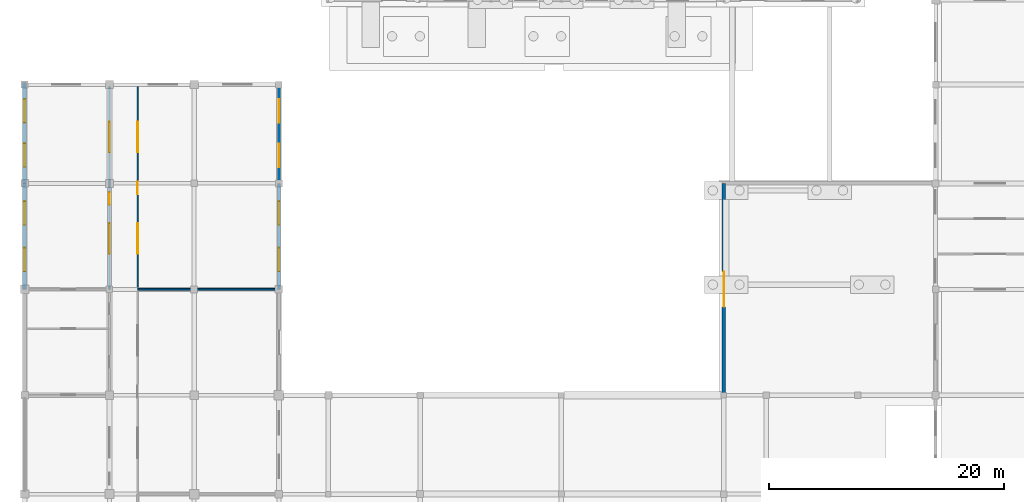
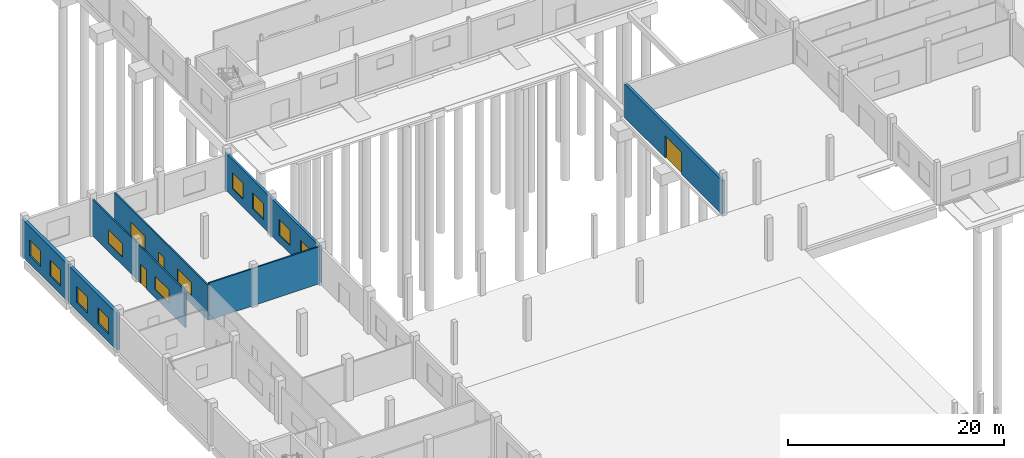
# One storey, part 72 of 91: 12 windows, 8 walls, 3 doors, 15 openings.
"""IFC4 building model written with IfcOpenShell, lengths in metres."""

from ifc_helpers import new_model, si_unit, direction, frame, frame_2d, origin, place, context, subcontext, project, spatial, rectangle, extrude, material, layer, layer_set, type_object, element, fill, save


model = new_model("IFC4")

# Units and contexts
model_context = context("Model", 3, precision=1e-05, world=origin(), true_north=direction((0.0, 1.0)))
body_context = subcontext(model_context, "Body", "Model", "MODEL_VIEW")
ifc_project = project(units=[si_unit("LENGTHUNIT", "METRE"), si_unit("AREAUNIT", "SQUARE_METRE"), si_unit("VOLUMEUNIT", "CUBIC_METRE"), si_unit("PLANEANGLEUNIT", "RADIAN"), si_unit("MASSUNIT", "GRAM", prefix="KILO")], contexts=[model_context])

# Site, building, storey
site_placement = place(None, origin())
site = spatial("IfcSite", under=ifc_project, at=site_placement, CompositionType="ELEMENT")
building_placement = place(site_placement, origin())
building = spatial("IfcBuilding", under=site, at=building_placement, Name="Vinh Khe Railworks Police Headquarters", CompositionType="ELEMENT")
storey_placement = place(building_placement, origin())
storey = spatial("IfcBuildingStorey", under=building, at=storey_placement, Name="L00", CompositionType="ELEMENT", Elevation=0.0)

# Wall, openings, windows
ifc_material_1 = material(Name="Clay brickwork", Category="masonry")
ifc_layer_1 = layer(ifc_material_1, 0.260009765625)
ifc_layer_set_1 = layer_set([ifc_layer_1], Name="Clay brickwork")
wall_type_1 = type_object("IfcWallType", Name="EW-BRK-260", PredefinedType="SOLIDWALL", material=ifc_layer_set_1)
wall_1_placement = place(storey_placement, frame((22.199951171875, 113.39990234375, 0.0), z_axis=(0.0, 0.0, 1.0), x_axis=(0.0, 1.0, 0.0)))
wall_1 = element("IfcWall", 1, at=wall_1_placement, inside=storey, type_object=wall_type_1, Name="Exterior Brick Wall EW-L00-V5E-15", PredefinedType="SOLIDWALL", context=body_context, shape_type="SweptSolid", body=[
    extrude(rectangle(XDim=9.0, YDim=0.260009765625, at=frame_2d((4.5, 0.0))), origin(), (0.0, 0.0, 1.0), 4.1650390625),
])
opening_1_placement = place(wall_1_placement, frame((1.52001953125, 0.0, 0.89990234375)))
opening_1 = element("IfcOpeningElement", 2, at=opening_1_placement, cuts=wall_1, Name="Opening WN-04", PredefinedType="OPENING", context=body_context, shape_type="SweptSolid", body=[
    extrude(rectangle(XDim=2.0, YDim=1.800048828125, at=frame_2d((1.0, 0.89990234375))), frame((0.0, 0.14501953125, 0.0), z_axis=(0.0, -1.0, 0.0), x_axis=(1.0, 0.0, 0.0)), (0.0, 0.0, 1.0), 0.289794921875),
])
opening_2_placement = place(wall_1_placement, frame((5.47998046875, 0.0, 0.89990234375)))
opening_2 = element("IfcOpeningElement", 3, at=opening_2_placement, cuts=wall_1, Name="Opening WN-04", PredefinedType="OPENING", context=body_context, shape_type="SweptSolid", body=[
    extrude(rectangle(XDim=2.0, YDim=1.800048828125, at=frame_2d((1.0, 0.89990234375))), frame((0.0, 0.14501953125, 0.0), z_axis=(0.0, -1.0, 0.0), x_axis=(1.0, 0.0, 0.0)), (0.0, 0.0, 1.0), 0.289794921875),
])
ifc_material_2 = material(Name="Double-glazed solar-control glass in dark steel frame", Category="steel")
window_type_1 = type_object("IfcWindowType", Name="WIN-WN-04", PartitioningType="DOUBLE_PANEL_VERTICAL", PredefinedType="WINDOW", material=ifc_material_2)
window_1_placement = place(opening_1_placement, origin())
window_1 = element("IfcWindow", 4, at=window_1_placement, inside=storey, type_object=window_type_1, Name="Casement Window WN-04", OverallHeight=1.800048828125, OverallWidth=2.0, PartitioningType="SINGLE_PANEL", PredefinedType="WINDOW", context=body_context, shape_type="SweptSolid", body=[
    extrude(rectangle(XDim=2.0, YDim=1.800048828125, at=frame_2d((1.0, 0.89990234375))), frame((0.0, 0.030029296875, 0.0), z_axis=(0.0, -1.0, 0.0), x_axis=(1.0, 0.0, 0.0)), (0.0, 0.0, 1.0), 0.06005859375),
])
fill(opening_1, window_1)
window_2_placement = place(opening_2_placement, origin())
window_2 = element("IfcWindow", 5, at=window_2_placement, inside=storey, type_object=window_type_1, Name="Casement Window WN-04", OverallHeight=1.800048828125, OverallWidth=2.0, PartitioningType="SINGLE_PANEL", PredefinedType="WINDOW", context=body_context, shape_type="SweptSolid", body=[
    extrude(rectangle(XDim=2.0, YDim=1.800048828125, at=frame_2d((1.0, 0.89990234375))), frame((0.0, 0.030029296875, 0.0), z_axis=(0.0, -1.0, 0.0), x_axis=(1.0, 0.0, 0.0)), (0.0, 0.0, 1.0), 0.06005859375),
])
fill(opening_2, window_2)

wall_2_placement = place(storey_placement, frame((22.199951171875, 122.39990234375, 0.0), z_axis=(0.0, 0.0, 1.0), x_axis=(0.0, 1.0, 0.0)))
wall_2 = element("IfcWall", 6, at=wall_2_placement, inside=storey, type_object=wall_type_1, Name="Exterior Brick Wall EW-L00-V5E-16", PredefinedType="SOLIDWALL", context=body_context, shape_type="SweptSolid", body=[
    extrude(rectangle(XDim=8.530029296875, YDim=0.260009765625, at=frame_2d((4.26513671875, 0.0))), origin(), (0.0, 0.0, 1.0), 4.1650390625),
])
opening_3_placement = place(wall_2_placement, frame((1.388427734375, 0.0, 0.89990234375)))
opening_3 = element("IfcOpeningElement", 7, at=opening_3_placement, cuts=wall_2, Name="Opening WN-04", PredefinedType="OPENING", context=body_context, shape_type="SweptSolid", body=[
    extrude(rectangle(XDim=2.0, YDim=1.800048828125, at=frame_2d((1.0, 0.89990234375))), frame((0.0, 0.14501953125, 0.0), z_axis=(0.0, -1.0, 0.0), x_axis=(1.0, 0.0, 0.0)), (0.0, 0.0, 1.0), 0.289794921875),
])
opening_4_placement = place(wall_2_placement, frame((5.1416015625, 0.0, 0.89990234375)))
opening_4 = element("IfcOpeningElement", 8, at=opening_4_placement, cuts=wall_2, Name="Opening WN-04", PredefinedType="OPENING", context=body_context, shape_type="SweptSolid", body=[
    extrude(rectangle(XDim=2.0, YDim=1.800048828125, at=frame_2d((1.0, 0.89990234375))), frame((0.0, 0.14501953125, 0.0), z_axis=(0.0, -1.0, 0.0), x_axis=(1.0, 0.0, 0.0)), (0.0, 0.0, 1.0), 0.289794921875),
])
window_3_placement = place(opening_3_placement, origin())
window_3 = element("IfcWindow", 9, at=window_3_placement, inside=storey, type_object=window_type_1, Name="Casement Window WN-04", OverallHeight=1.800048828125, OverallWidth=2.0, PartitioningType="SINGLE_PANEL", PredefinedType="WINDOW", context=body_context, shape_type="SweptSolid", body=[
    extrude(rectangle(XDim=2.0, YDim=1.800048828125, at=frame_2d((1.0, 0.89990234375))), frame((0.0, 0.030029296875, 0.0), z_axis=(0.0, -1.0, 0.0), x_axis=(1.0, 0.0, 0.0)), (0.0, 0.0, 1.0), 0.06005859375),
])
fill(opening_3, window_3)
window_4_placement = place(opening_4_placement, origin())
window_4 = element("IfcWindow", 10, at=window_4_placement, inside=storey, type_object=window_type_1, Name="Casement Window WN-04", OverallHeight=1.800048828125, OverallWidth=2.0, PartitioningType="SINGLE_PANEL", PredefinedType="WINDOW", context=body_context, shape_type="SweptSolid", body=[
    extrude(rectangle(XDim=2.0, YDim=1.800048828125, at=frame_2d((1.0, 0.89990234375))), frame((0.0, 0.030029296875, 0.0), z_axis=(0.0, -1.0, 0.0), x_axis=(1.0, 0.0, 0.0)), (0.0, 0.0, 1.0), 0.06005859375),
])
fill(opening_4, window_4)

# Wall, opening, door
ifc_layer_2 = layer(ifc_material_1, 0.300048828125)
ifc_layer_set_2 = layer_set([ifc_layer_2], Name="Clay brickwork")
wall_type_2 = type_object("IfcWallType", Name="EW-BRK-300", PredefinedType="SOLIDWALL", material=ifc_layer_set_2)
wall_3_placement = place(storey_placement, frame((60.0, 104.39990234375, 0.0), z_axis=(0.0, 0.0, 1.0), x_axis=(0.0, 1.0, 0.0)))
wall_3 = element("IfcWall", 11, at=wall_3_placement, inside=storey, type_object=wall_type_2, Name="Custody Exercise Yard West Perimeter Wall", PredefinedType="SOLIDWALL", context=body_context, shape_type="SweptSolid", body=[
    extrude(rectangle(XDim=18.0, YDim=0.300048828125, at=frame_2d((9.0, 0.0))), origin(), (0.0, 0.0, 1.0), 3.800048828125),
])
opening_5_placement = place(wall_3_placement, frame((7.5, 0.0, 0.0)))
opening_5 = element("IfcOpeningElement", 12, at=opening_5_placement, cuts=wall_3, Name="Opening VG-03", PredefinedType="OPENING", context=body_context, shape_type="SweptSolid", body=[
    extrude(rectangle(XDim=3.0, YDim=2.5, at=frame_2d((1.5, 1.25))), frame((0.0, 0.1650390625, 0.0), z_axis=(0.0, -1.0, 0.0), x_axis=(1.0, 0.0, 0.0)), (0.0, 0.0, 1.0), 0.329833984375),
])
ifc_material_3 = material(Name="Weathered steel security bar gate", Category="steel")
door_type_1 = type_object("IfcDoorType", Name="VG-YARD-3000", OperationType="DOUBLE_DOOR_SLIDING", PredefinedType="GATE", material=ifc_material_3)
door_1_placement = place(opening_5_placement, frame((3.0, 0.0, 0.0), z_axis=(0.0, 0.0, 1.0), x_axis=(-1.0, 0.0, 0.0)))
door_1 = element("IfcDoor", 13, at=door_1_placement, inside=storey, type_object=door_type_1, Name="Custody Yard Service Access Gate VG-05", OperationType="DOUBLE_DOOR_SLIDING", OverallHeight=2.5, OverallWidth=3.0, PredefinedType="GATE", context=body_context, shape_type="SweptSolid", body=[
    extrude(rectangle(XDim=3.0, YDim=2.5, at=frame_2d((1.5, 1.25))), frame((0.0, 0.02490234375, 0.0), z_axis=(0.0, -1.0, 0.0), x_axis=(1.0, 0.0, 0.0)), (0.0, 0.0, 1.0), 0.050048828125),
])
fill(opening_5, door_1)

# Wall, openings, windows
ifc_layer_3 = layer(ifc_material_1, 0.340087890625)
ifc_layer_set_3 = layer_set([ifc_layer_3], Name="Clay brickwork")
wall_type_3 = type_object("IfcWallType", Name="EW-BRK-340", PredefinedType="SOLIDWALL", material=ifc_layer_set_3)
wall_4_placement = place(storey_placement, frame((0.60009765625, 113.39990234375, 0.0), z_axis=(0.0, 0.0, 1.0), x_axis=(0.0, 1.0, 0.0)))
wall_4 = element("IfcWall", 14, at=wall_4_placement, inside=storey, type_object=wall_type_3, Name="Exterior Brick Wall EW-L00-V5W-15", PredefinedType="SOLIDWALL", context=body_context, shape_type="SweptSolid", body=[
    extrude(rectangle(XDim=9.0, YDim=0.340087890625, at=frame_2d((4.5, 0.0))), origin(), (0.0, 0.0, 1.0), 4.1650390625),
])
opening_6_placement = place(wall_4_placement, frame((1.52001953125, 0.0, 0.89990234375)))
opening_6 = element("IfcOpeningElement", 15, at=opening_6_placement, cuts=wall_4, Name="Opening WN-04", PredefinedType="OPENING", context=body_context, shape_type="SweptSolid", body=[
    extrude(rectangle(XDim=2.0, YDim=1.800048828125, at=frame_2d((1.0, 0.89990234375))), frame((0.0, 0.18505859375, 0.0), z_axis=(0.0, -1.0, 0.0), x_axis=(1.0, 0.0, 0.0)), (0.0, 0.0, 1.0), 0.369873046875),
])
opening_7_placement = place(wall_4_placement, frame((5.47998046875, 0.0, 0.89990234375)))
opening_7 = element("IfcOpeningElement", 16, at=opening_7_placement, cuts=wall_4, Name="Opening WN-04", PredefinedType="OPENING", context=body_context, shape_type="SweptSolid", body=[
    extrude(rectangle(XDim=2.0, YDim=1.800048828125, at=frame_2d((1.0, 0.89990234375))), frame((0.0, 0.18505859375, 0.0), z_axis=(0.0, -1.0, 0.0), x_axis=(1.0, 0.0, 0.0)), (0.0, 0.0, 1.0), 0.369873046875),
])
window_5_placement = place(opening_6_placement, origin())
window_5 = element("IfcWindow", 17, at=window_5_placement, inside=storey, type_object=window_type_1, Name="Casement Window WN-04", OverallHeight=1.800048828125, OverallWidth=2.0, PartitioningType="SINGLE_PANEL", PredefinedType="WINDOW", context=body_context, shape_type="SweptSolid", body=[
    extrude(rectangle(XDim=2.0, YDim=1.800048828125, at=frame_2d((1.0, 0.89990234375))), frame((0.0, 0.030029296875, 0.0), z_axis=(0.0, -1.0, 0.0), x_axis=(1.0, 0.0, 0.0)), (0.0, 0.0, 1.0), 0.06005859375),
])
fill(opening_6, window_5)
window_6_placement = place(opening_7_placement, origin())
window_6 = element("IfcWindow", 18, at=window_6_placement, inside=storey, type_object=window_type_1, Name="Casement Window WN-04", OverallHeight=1.800048828125, OverallWidth=2.0, PartitioningType="SINGLE_PANEL", PredefinedType="WINDOW", context=body_context, shape_type="SweptSolid", body=[
    extrude(rectangle(XDim=2.0, YDim=1.800048828125, at=frame_2d((1.0, 0.89990234375))), frame((0.0, 0.030029296875, 0.0), z_axis=(0.0, -1.0, 0.0), x_axis=(1.0, 0.0, 0.0)), (0.0, 0.0, 1.0), 0.06005859375),
])
fill(opening_7, window_6)

wall_5_placement = place(storey_placement, frame((0.60009765625, 122.39990234375, 0.0), z_axis=(0.0, 0.0, 1.0), x_axis=(0.0, 1.0, 0.0)))
wall_5 = element("IfcWall", 19, at=wall_5_placement, inside=storey, type_object=wall_type_3, Name="Exterior Brick Wall EW-L00-V5W-16", PredefinedType="SOLIDWALL", context=body_context, shape_type="SweptSolid", body=[
    extrude(rectangle(XDim=8.570068359375, YDim=0.340087890625, at=frame_2d((4.28515625, 0.0))), origin(), (0.0, 0.0, 1.0), 4.205078125),
])
opening_8_placement = place(wall_5_placement, frame((1.399658203125, 0.0, 0.89990234375)))
opening_8 = element("IfcOpeningElement", 20, at=opening_8_placement, cuts=wall_5, Name="Opening WN-04", PredefinedType="OPENING", context=body_context, shape_type="SweptSolid", body=[
    extrude(rectangle(XDim=2.0, YDim=1.800048828125, at=frame_2d((1.0, 0.89990234375))), frame((0.0, 0.18505859375, 0.0), z_axis=(0.0, -1.0, 0.0), x_axis=(1.0, 0.0, 0.0)), (0.0, 0.0, 1.0), 0.369873046875),
])
opening_9_placement = place(wall_5_placement, frame((5.17041015625, 0.0, 0.89990234375)))
opening_9 = element("IfcOpeningElement", 21, at=opening_9_placement, cuts=wall_5, Name="Opening WN-04", PredefinedType="OPENING", context=body_context, shape_type="SweptSolid", body=[
    extrude(rectangle(XDim=2.0, YDim=1.800048828125, at=frame_2d((1.0, 0.89990234375))), frame((0.0, 0.18505859375, 0.0), z_axis=(0.0, -1.0, 0.0), x_axis=(1.0, 0.0, 0.0)), (0.0, 0.0, 1.0), 0.369873046875),
])
window_7_placement = place(opening_8_placement, origin())
window_7 = element("IfcWindow", 22, at=window_7_placement, inside=storey, type_object=window_type_1, Name="Casement Window WN-04", OverallHeight=1.800048828125, OverallWidth=2.0, PartitioningType="SINGLE_PANEL", PredefinedType="WINDOW", context=body_context, shape_type="SweptSolid", body=[
    extrude(rectangle(XDim=2.0, YDim=1.800048828125, at=frame_2d((1.0, 0.89990234375))), frame((0.0, 0.030029296875, 0.0), z_axis=(0.0, -1.0, 0.0), x_axis=(1.0, 0.0, 0.0)), (0.0, 0.0, 1.0), 0.06005859375),
])
fill(opening_8, window_7)
window_8_placement = place(opening_9_placement, origin())
window_8 = element("IfcWindow", 23, at=window_8_placement, inside=storey, type_object=window_type_1, Name="Casement Window WN-04", OverallHeight=1.800048828125, OverallWidth=2.0, PartitioningType="SINGLE_PANEL", PredefinedType="WINDOW", context=body_context, shape_type="SweptSolid", body=[
    extrude(rectangle(XDim=2.0, YDim=1.800048828125, at=frame_2d((1.0, 0.89990234375))), frame((0.0, 0.030029296875, 0.0), z_axis=(0.0, -1.0, 0.0), x_axis=(1.0, 0.0, 0.0)), (0.0, 0.0, 1.0), 0.06005859375),
])
fill(opening_9, window_8)

# Wall
ifc_material_4 = material(Name="Gypsum plasterboard on steel stud", Category="steel")
ifc_layer_4 = layer(ifc_material_4, 0.1201171875)
ifc_layer_set_4 = layer_set([ifc_layer_4], Name="Gypsum plasterboard on steel stud")
wall_type_4 = type_object("IfcWallType", Name="IW-PART-120", PredefinedType="PARTITIONING", material=ifc_layer_set_4)
wall_6_placement = place(storey_placement, frame((10.199951171875, 113.39990234375, 0.0), z_axis=(0.0, 0.0, 1.0), x_axis=(1.0, 0.0, 0.0)))
element("IfcWall", 24, at=wall_6_placement, inside=storey, type_object=wall_type_4, Name="Interior Partition W-L00-V5-REST0-DIV", PredefinedType="PARTITIONING", context=body_context, shape_type="SweptSolid", body=[
    extrude(rectangle(XDim=11.860107421875, YDim=0.14990234375, at=frame_2d((5.93017578125, 0.0))), origin(), (0.0, 0.0, 1.0), 4.205078125),
])

# Wall, openings, door, windows
ifc_material_5 = material(Name="Gypsum plasterboard on acoustic steel stud", Category="steel")
ifc_layer_5 = layer(ifc_material_5, 0.14990234375)
ifc_layer_set_5 = layer_set([ifc_layer_5], Name="Gypsum plasterboard on acoustic steel stud")
wall_type_5 = type_object("IfcWallType", Name="IW-PART-150", PredefinedType="PARTITIONING", material=ifc_layer_set_5)
wall_7_placement = place(storey_placement, frame((7.800048828125, 113.39990234375, 0.0), z_axis=(0.0, 0.0, 1.0), x_axis=(0.0, 1.0, 0.0)))
wall_7 = element("IfcWall", 25, at=wall_7_placement, inside=storey, type_object=wall_type_5, Name="Interior Partition W-L00-V5-MED0-CW", PredefinedType="PARTITIONING", context=body_context, shape_type="SweptSolid", body=[
    extrude(rectangle(XDim=17.239990234375, YDim=0.14990234375, at=frame_2d((8.6201171875, 0.0))), origin(), (0.0, 0.0, 1.0), 4.114990234375),
])
opening_10_placement = place(wall_7_placement, frame((7.195068359375, 0.0, 0.0)))
opening_10 = element("IfcOpeningElement", 26, at=opening_10_placement, cuts=wall_7, Name="Opening D-02", PredefinedType="OPENING", context=body_context, shape_type="SweptSolid", body=[
    extrude(rectangle(XDim=1.050048828125, YDim=2.14990234375, at=frame_2d((0.52490234375, 1.074951171875))), frame((0.0, 0.08984375, 0.0), z_axis=(0.0, -1.0, 0.0), x_axis=(1.0, 0.0, 0.0)), (0.0, 0.0, 1.0), 0.1796875),
])
opening_11_placement = place(wall_7_placement, frame((3.010009765625, 0.0, 0.949951171875)))
opening_11 = element("IfcOpeningElement", 27, at=opening_11_placement, cuts=wall_7, Name="Opening WN-07", PredefinedType="OPENING", context=body_context, shape_type="SweptSolid", body=[
    extrude(rectangle(XDim=2.60009765625, YDim=1.5, at=frame_2d((1.300048828125, 0.75))), frame((0.0, 0.08984375, 0.0), z_axis=(0.0, -1.0, 0.0), x_axis=(1.0, 0.0, 0.0)), (0.0, 0.0, 1.0), 0.1796875),
])
opening_12_placement = place(wall_7_placement, frame((11.6298828125, 0.0, 0.949951171875)))
opening_12 = element("IfcOpeningElement", 28, at=opening_12_placement, cuts=wall_7, Name="Opening WN-07", PredefinedType="OPENING", context=body_context, shape_type="SweptSolid", body=[
    extrude(rectangle(XDim=2.60009765625, YDim=1.5, at=frame_2d((1.300048828125, 0.75))), frame((0.0, 0.08984375, 0.0), z_axis=(0.0, -1.0, 0.0), x_axis=(1.0, 0.0, 0.0)), (0.0, 0.0, 1.0), 0.1796875),
])
ifc_material_6 = material(Name="Seasoned hardwood timber", Category="wood")
door_type_2 = type_object("IfcDoorType", Name="ID-1050x2150", OperationType="NOTDEFINED", PredefinedType="DOOR", material=ifc_material_6)
door_2_placement = place(opening_10_placement, origin())
door_2 = element("IfcDoor", 29, at=door_2_placement, inside=storey, type_object=door_type_2, Name="First Aid Triage Room Door", OperationType="SINGLE_SWING_RIGHT", OverallHeight=2.14990234375, OverallWidth=1.050048828125, PredefinedType="DOOR", context=body_context, shape_type="SweptSolid", body=[
    extrude(rectangle(XDim=1.050048828125, YDim=2.14990234375, at=frame_2d((0.52490234375, 1.074951171875))), frame((0.0, 0.02490234375, 0.0), z_axis=(0.0, -1.0, 0.0), x_axis=(1.0, 0.0, 0.0)), (0.0, 0.0, 1.0), 0.050048828125),
])
fill(opening_10, door_2)
window_type_2 = type_object("IfcWindowType", Name="WIN-WN-07", PartitioningType="DOUBLE_PANEL_HORIZONTAL", PredefinedType="WINDOW", material=ifc_material_2)
window_9_placement = place(opening_11_placement, origin())
window_9 = element("IfcWindow", 30, at=window_9_placement, inside=storey, type_object=window_type_2, Name="Interior Acoustic Vision Window WN-07", OverallHeight=1.5, OverallWidth=2.60009765625, PartitioningType="SINGLE_PANEL", PredefinedType="WINDOW", context=body_context, shape_type="SweptSolid", body=[
    extrude(rectangle(XDim=2.60009765625, YDim=1.5, at=frame_2d((1.300048828125, 0.75))), frame((0.0, 0.030029296875, 0.0), z_axis=(0.0, -1.0, 0.0), x_axis=(1.0, 0.0, 0.0)), (0.0, 0.0, 1.0), 0.06005859375),
])
fill(opening_11, window_9)
window_10_placement = place(opening_12_placement, origin())
window_10 = element("IfcWindow", 31, at=window_10_placement, inside=storey, type_object=window_type_2, Name="Interior Acoustic Vision Window WN-07", OverallHeight=1.5, OverallWidth=2.60009765625, PartitioningType="SINGLE_PANEL", PredefinedType="WINDOW", context=body_context, shape_type="SweptSolid", body=[
    extrude(rectangle(XDim=2.60009765625, YDim=1.5, at=frame_2d((1.300048828125, 0.75))), frame((0.0, 0.030029296875, 0.0), z_axis=(0.0, -1.0, 0.0), x_axis=(1.0, 0.0, 0.0)), (0.0, 0.0, 1.0), 0.06005859375),
])
fill(opening_12, window_10)

wall_8_placement = place(storey_placement, frame((10.199951171875, 113.39990234375, 0.0), z_axis=(0.0, 0.0, 1.0), x_axis=(0.0, 1.0, 0.0)))
wall_8 = element("IfcWall", 32, at=wall_8_placement, inside=storey, type_object=wall_type_5, Name="Interior Partition W-L00-V5-REST0-CE", PredefinedType="PARTITIONING", context=body_context, shape_type="SweptSolid", body=[
    extrude(rectangle(XDim=17.239990234375, YDim=0.14990234375, at=frame_2d((8.6201171875, 0.0))), origin(), (0.0, 0.0, 1.0), 3.955078125),
])
opening_13_placement = place(wall_8_placement, frame((8.094970703125, 0.0, 0.0)))
opening_13 = element("IfcOpeningElement", 33, at=opening_13_placement, cuts=wall_8, Name="Opening D-02", PredefinedType="OPENING", context=body_context, shape_type="SweptSolid", body=[
    extrude(rectangle(XDim=1.050048828125, YDim=2.14990234375, at=frame_2d((0.52490234375, 1.074951171875))), frame((0.0, 0.08984375, 0.0), z_axis=(0.0, -1.0, 0.0), x_axis=(1.0, 0.0, 0.0)), (0.0, 0.0, 1.0), 0.1796875),
])
opening_14_placement = place(wall_8_placement, frame((3.010009765625, 0.0, 0.949951171875)))
opening_14 = element("IfcOpeningElement", 34, at=opening_14_placement, cuts=wall_8, Name="Opening WN-07", PredefinedType="OPENING", context=body_context, shape_type="SweptSolid", body=[
    extrude(rectangle(XDim=2.60009765625, YDim=1.5, at=frame_2d((1.300048828125, 0.75))), frame((0.0, 0.08984375, 0.0), z_axis=(0.0, -1.0, 0.0), x_axis=(1.0, 0.0, 0.0)), (0.0, 0.0, 1.0), 0.1796875),
])
opening_15_placement = place(wall_8_placement, frame((11.6298828125, 0.0, 0.949951171875)))
opening_15 = element("IfcOpeningElement", 35, at=opening_15_placement, cuts=wall_8, Name="Opening WN-07", PredefinedType="OPENING", context=body_context, shape_type="SweptSolid", body=[
    extrude(rectangle(XDim=2.60009765625, YDim=1.5, at=frame_2d((1.300048828125, 0.75))), frame((0.0, 0.08984375, 0.0), z_axis=(0.0, -1.0, 0.0), x_axis=(1.0, 0.0, 0.0)), (0.0, 0.0, 1.0), 0.1796875),
])
door_3_placement = place(opening_13_placement, origin())
door_3 = element("IfcDoor", 36, at=door_3_placement, inside=storey, type_object=door_type_2, Name="Duty Officer Mess Room Door", OperationType="SINGLE_SWING_RIGHT", OverallHeight=2.14990234375, OverallWidth=1.050048828125, PredefinedType="DOOR", context=body_context, shape_type="SweptSolid", body=[
    extrude(rectangle(XDim=1.050048828125, YDim=2.14990234375, at=frame_2d((0.52490234375, 1.074951171875))), frame((0.0, 0.02490234375, 0.0), z_axis=(0.0, -1.0, 0.0), x_axis=(1.0, 0.0, 0.0)), (0.0, 0.0, 1.0), 0.050048828125),
])
fill(opening_13, door_3)
window_11_placement = place(opening_14_placement, origin())
window_11 = element("IfcWindow", 37, at=window_11_placement, inside=storey, type_object=window_type_2, Name="Interior Acoustic Vision Window WN-07", OverallHeight=1.5, OverallWidth=2.60009765625, PartitioningType="SINGLE_PANEL", PredefinedType="WINDOW", context=body_context, shape_type="SweptSolid", body=[
    extrude(rectangle(XDim=2.60009765625, YDim=1.5, at=frame_2d((1.300048828125, 0.75))), frame((0.0, 0.030029296875, 0.0), z_axis=(0.0, -1.0, 0.0), x_axis=(1.0, 0.0, 0.0)), (0.0, 0.0, 1.0), 0.06005859375),
])
fill(opening_14, window_11)
window_12_placement = place(opening_15_placement, origin())
window_12 = element("IfcWindow", 38, at=window_12_placement, inside=storey, type_object=window_type_2, Name="Interior Acoustic Vision Window WN-07", OverallHeight=1.5, OverallWidth=2.60009765625, PartitioningType="SINGLE_PANEL", PredefinedType="WINDOW", context=body_context, shape_type="SweptSolid", body=[
    extrude(rectangle(XDim=2.60009765625, YDim=1.5, at=frame_2d((1.300048828125, 0.75))), frame((0.0, 0.030029296875, 0.0), z_axis=(0.0, -1.0, 0.0), x_axis=(1.0, 0.0, 0.0)), (0.0, 0.0, 1.0), 0.06005859375),
])
fill(opening_15, window_12)

save(model, "model.ifc")
